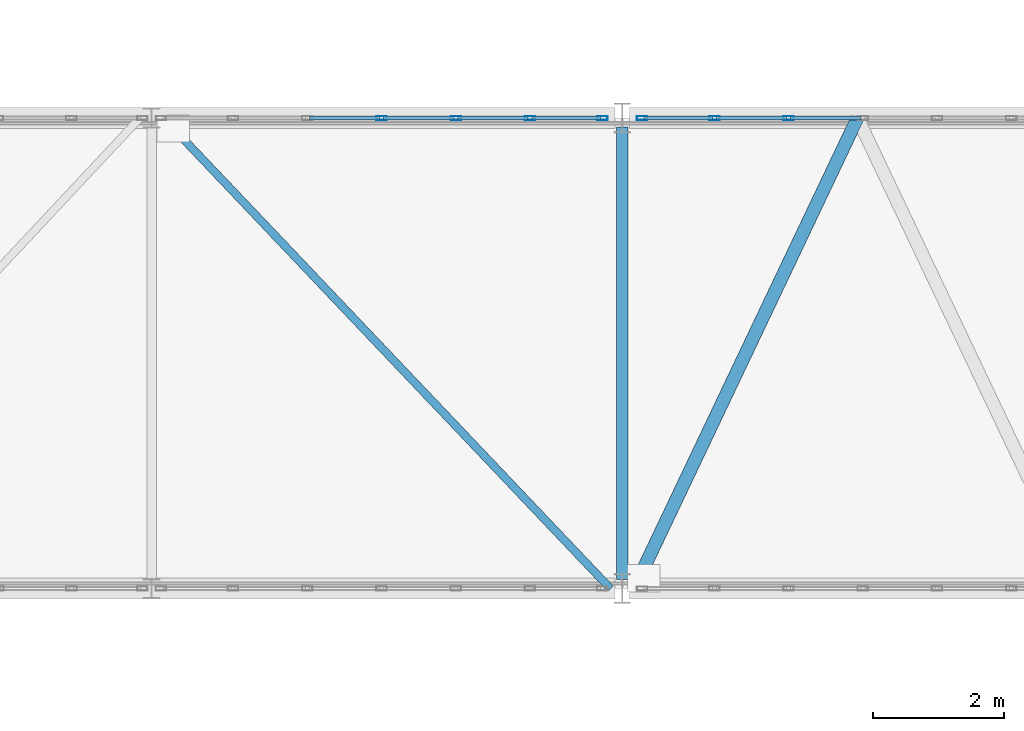
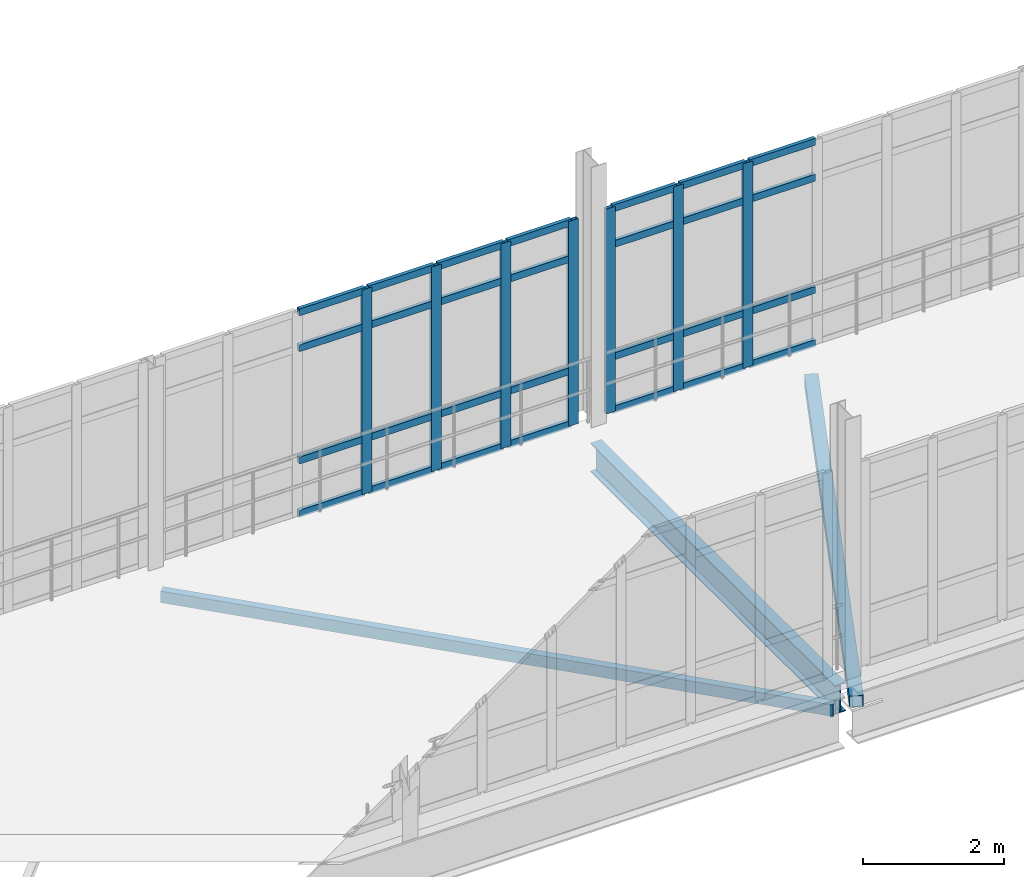
# One storey, part 22 of 124: 37 members, 1 beam, 2 elements without a shape of their own.
"""IFC4 building model written with IfcOpenShell, lengths in metres."""

from ifc_helpers import new_model, si_unit, direction, frame, origin, origin_2d, place, context, subcontext, project, spatial, hollow_rectangle, i_section, extrude, material, material_profile, profile_set, type_object, element, aggregate, save


model = new_model("IFC4")

# Units and contexts
model_context = context("Model", 3, precision=1e-05, world=origin(), true_north=direction((0.0, 1.0)))
body_context = subcontext(model_context, "Body", "Model", "MODEL_VIEW")
ifc_project = project(units=[si_unit("LENGTHUNIT", "METRE"), si_unit("AREAUNIT", "SQUARE_METRE"), si_unit("VOLUMEUNIT", "CUBIC_METRE"), si_unit("PLANEANGLEUNIT", "RADIAN"), si_unit("MASSUNIT", "GRAM", prefix="KILO")], contexts=[model_context])

# Site, building, storey
site_placement = place(None, origin())
site = spatial("IfcSite", under=ifc_project, at=site_placement, CompositionType="ELEMENT")
building_placement = place(site_placement, origin())
building = spatial("IfcBuilding", under=site, at=building_placement, Name="Kalluvel Institute of Natural Sciences", CompositionType="ELEMENT")
storey_placement = place(building_placement, frame((0.0, 0.0, 9.89990234375)))
storey = spatial("IfcBuildingStorey", under=building, at=storey_placement, Name="L02", CompositionType="ELEMENT", Elevation=9.89990234375)

# Beam
ifc_material_1 = material(Name="Steel E350 Grade 350", Category="steel")
ifc_material_profile_1 = material_profile(ifc_material_1, i_section(OverallWidth=0.179931640625, OverallDepth=0.5, WebThickness=0.01025390625, FlangeThickness=0.01708984375, FilletRadius=0.01708984375, at=origin_2d()), Name="ISMB 500")
ifc_profile_set_1 = profile_set([ifc_material_profile_1], Name="Steel E350 Grade 350")
beam_type = type_object("IfcBeamType", Name="BM-ISMB500", PredefinedType="BEAM", material=ifc_profile_set_1)
beam_placement = place(storey_placement, frame((50.0, 28.5400390625, -0.56982421875), z_axis=(0.0, 1.0, 0.0), x_axis=(-1.0, 0.0, 0.0)))
element("IfcBeam", 1, at=beam_placement, inside=storey, type_object=beam_type, Name="L02 link bridge cross girder 56", PredefinedType="BEAM", context=body_context, shape_type="SweptSolid", body=[
    extrude(i_section(OverallWidth=0.179931640625, OverallDepth=0.5, WebThickness=0.01025390625, FlangeThickness=0.01708984375, FilletRadius=0.01708984375, at=origin_2d()), origin(), (0.0, 0.0, 1.0), 6.919921875),
])

# Curtain wall, members
ifc_material_2 = material(Name="Aluminium AW-6063 T6", Category="aluminium")
curtain_wall_type = type_object("IfcCurtainWallType", Name="CW-BRG-45", PredefinedType="USERDEFINED", material=ifc_material_2)
curtain_wall_1_placement = place(storey_placement, origin())
curtain_wall_1 = element("IfcCurtainWall", 2, at=curtain_wall_1_placement, inside=storey, type_object=curtain_wall_type, Name="L02 Gothic lancet curtain wall CWA-L02-X429-Y356", ObjectType="UNITISED LANCET FACADE", PredefinedType="USERDEFINED")
ifc_material_profile_2 = material_profile(ifc_material_2, hollow_rectangle(XDim=0.06005859375, YDim=0.159912109375, WallThickness=0.00390625, at=origin_2d()), Name="CWM 60x160")
ifc_profile_set_2 = profile_set([ifc_material_profile_2], Name="Aluminium AW-6063 T6")
member_type_1 = type_object("IfcMemberType", Name="CWM-60x160", PredefinedType="MULLION", material=ifc_profile_set_2)
member_1_placement = place(storey_placement, frame((46.3173828125, 35.60009765625, 0.0), z_axis=(0.0, 0.0, 1.0), x_axis=(0.0, 1.0, 0.0)))
member_1 = element("IfcMember", 3, at=member_1_placement, type_object=member_type_1, Name="CW-07 mullion 4", PredefinedType="MULLION", context=body_context, shape_type="SweptSolid", body=[
    extrude(hollow_rectangle(XDim=0.06005859375, YDim=0.159912109375, WallThickness=0.00390625, at=origin_2d()), origin(), (0.0, 0.0, 1.0), 3.5400390625),
])
member_2_placement = place(storey_placement, frame((47.453369140625, 35.60009765625, 0.0), z_axis=(0.0, 0.0, 1.0), x_axis=(0.0, 1.0, 0.0)))
member_2 = element("IfcMember", 4, at=member_2_placement, type_object=member_type_1, Name="CW-07 mullion 5", PredefinedType="MULLION", context=body_context, shape_type="SweptSolid", body=[
    extrude(hollow_rectangle(XDim=0.06005859375, YDim=0.159912109375, WallThickness=0.00390625, at=origin_2d()), origin(), (0.0, 0.0, 1.0), 3.5400390625),
])
member_3_placement = place(storey_placement, frame((48.589111328125, 35.60009765625, 0.0), z_axis=(0.0, 0.0, 1.0), x_axis=(0.0, 1.0, 0.0)))
member_3 = element("IfcMember", 5, at=member_3_placement, type_object=member_type_1, Name="CW-07 mullion 6", PredefinedType="MULLION", context=body_context, shape_type="SweptSolid", body=[
    extrude(hollow_rectangle(XDim=0.06005859375, YDim=0.159912109375, WallThickness=0.00390625, at=origin_2d()), origin(), (0.0, 0.0, 1.0), 3.5400390625),
])
member_4_placement = place(storey_placement, frame((49.695068359375, 35.60009765625, 0.0), z_axis=(0.0, 0.0, 1.0), x_axis=(0.0, 1.0, 0.0)))
member_4 = element("IfcMember", 6, at=member_4_placement, type_object=member_type_1, Name="CW-07 mullion 7", PredefinedType="MULLION", context=body_context, shape_type="SweptSolid", body=[
    extrude(hollow_rectangle(XDim=0.06005859375, YDim=0.159912109375, WallThickness=0.00390625, at=origin_2d()), origin(), (0.0, 0.0, 1.0), 3.5400390625),
])

curtain_wall_2_placement = place(storey_placement, origin())
curtain_wall_2 = element("IfcCurtainWall", 7, at=curtain_wall_2_placement, inside=storey, type_object=curtain_wall_type, Name="L02 Gothic lancet curtain wall CWA-L02-X503-Y356", ObjectType="UNITISED LANCET FACADE", PredefinedType="USERDEFINED")
member_5_placement = place(storey_placement, frame((50.304931640625, 35.60009765625, 0.0), z_axis=(0.0, 0.0, 1.0), x_axis=(0.0, 1.0, 0.0)))
member_5 = element("IfcMember", 8, at=member_5_placement, type_object=member_type_1, Name="CW-07 mullion 1", PredefinedType="MULLION", context=body_context, shape_type="SweptSolid", body=[
    extrude(hollow_rectangle(XDim=0.06005859375, YDim=0.159912109375, WallThickness=0.00390625, at=origin_2d()), origin(), (0.0, 0.0, 1.0), 3.5400390625),
])
member_6_placement = place(storey_placement, frame((51.410888671875, 35.60009765625, 0.0), z_axis=(0.0, 0.0, 1.0), x_axis=(0.0, 1.0, 0.0)))
member_6 = element("IfcMember", 9, at=member_6_placement, type_object=member_type_1, Name="CW-07 mullion 2", PredefinedType="MULLION", context=body_context, shape_type="SweptSolid", body=[
    extrude(hollow_rectangle(XDim=0.06005859375, YDim=0.159912109375, WallThickness=0.00390625, at=origin_2d()), origin(), (0.0, 0.0, 1.0), 3.5400390625),
])
member_7_placement = place(storey_placement, frame((52.546630859375, 35.60009765625, 0.0), z_axis=(0.0, 0.0, 1.0), x_axis=(0.0, 1.0, 0.0)))
member_7 = element("IfcMember", 10, at=member_7_placement, type_object=member_type_1, Name="CW-07 mullion 3", PredefinedType="MULLION", context=body_context, shape_type="SweptSolid", body=[
    extrude(hollow_rectangle(XDim=0.06005859375, YDim=0.159912109375, WallThickness=0.00390625, at=origin_2d()), origin(), (0.0, 0.0, 1.0), 3.5400390625),
])

# Member
ifc_material_profile_3 = material_profile(ifc_material_2, hollow_rectangle(XDim=0.06005859375, YDim=0.1201171875, WallThickness=0.00390625, at=origin_2d()), Name="CWT 60x120")
ifc_profile_set_3 = profile_set([ifc_material_profile_3], Name="Aluminium AW-6063 T6")
member_type_2 = type_object("IfcMemberType", Name="CWT-60x120", PredefinedType="USERDEFINED", material=ifc_profile_set_3)
member_8_placement = place(storey_placement, frame((45.211669921875, 35.60009765625, 0.030029296875), z_axis=(1.0, 0.0, 0.0), x_axis=(0.0, 1.0, 0.0)))
member_8 = element("IfcMember", 11, at=member_8_placement, type_object=member_type_2, Name="CW-07 transom 3.1", ObjectType="TRANSOM", PredefinedType="USERDEFINED", context=body_context, shape_type="SweptSolid", body=[
    extrude(hollow_rectangle(XDim=0.06005859375, YDim=0.1201171875, WallThickness=0.00390625, at=origin_2d()), origin(), (0.0, 0.0, 1.0), 1.075927734375),
])

member_9_placement = place(storey_placement, frame((45.211669921875, 35.60009765625, 0.9501953125), z_axis=(1.0, 0.0, 0.0), x_axis=(0.0, 1.0, 0.0)))
member_9 = element("IfcMember", 12, at=member_9_placement, type_object=member_type_2, Name="CW-07 transom 3.2", ObjectType="TRANSOM", PredefinedType="USERDEFINED", context=body_context, shape_type="SweptSolid", body=[
    extrude(hollow_rectangle(XDim=0.06005859375, YDim=0.1201171875, WallThickness=0.00390625, at=origin_2d()), origin(), (0.0, 0.0, 1.0), 1.075927734375),
])

member_10_placement = place(storey_placement, frame((45.211669921875, 35.60009765625, 2.89013671875), z_axis=(1.0, 0.0, 0.0), x_axis=(0.0, 1.0, 0.0)))
member_10 = element("IfcMember", 13, at=member_10_placement, type_object=member_type_2, Name="CW-07 transom 3.3", ObjectType="TRANSOM", PredefinedType="USERDEFINED", context=body_context, shape_type="SweptSolid", body=[
    extrude(hollow_rectangle(XDim=0.06005859375, YDim=0.1201171875, WallThickness=0.00390625, at=origin_2d()), origin(), (0.0, 0.0, 1.0), 1.075927734375),
])

member_11_placement = place(storey_placement, frame((45.211669921875, 35.60009765625, 3.510009765625), z_axis=(1.0, 0.0, 0.0), x_axis=(0.0, 1.0, 0.0)))
member_11 = element("IfcMember", 14, at=member_11_placement, type_object=member_type_2, Name="CW-07 transom 3.4", ObjectType="TRANSOM", PredefinedType="USERDEFINED", context=body_context, shape_type="SweptSolid", body=[
    extrude(hollow_rectangle(XDim=0.06005859375, YDim=0.1201171875, WallThickness=0.00390625, at=origin_2d()), origin(), (0.0, 0.0, 1.0), 1.075927734375),
])

member_12_placement = place(storey_placement, frame((46.347412109375, 35.60009765625, 0.030029296875), z_axis=(1.0, 0.0, 0.0), x_axis=(0.0, 1.0, 0.0)))
member_12 = element("IfcMember", 15, at=member_12_placement, type_object=member_type_2, Name="CW-07 transom 4.1", ObjectType="TRANSOM", PredefinedType="USERDEFINED", context=body_context, shape_type="SweptSolid", body=[
    extrude(hollow_rectangle(XDim=0.06005859375, YDim=0.1201171875, WallThickness=0.00390625, at=origin_2d()), origin(), (0.0, 0.0, 1.0), 1.075927734375),
])

member_13_placement = place(storey_placement, frame((46.347412109375, 35.60009765625, 0.9501953125), z_axis=(1.0, 0.0, 0.0), x_axis=(0.0, 1.0, 0.0)))
member_13 = element("IfcMember", 16, at=member_13_placement, type_object=member_type_2, Name="CW-07 transom 4.2", ObjectType="TRANSOM", PredefinedType="USERDEFINED", context=body_context, shape_type="SweptSolid", body=[
    extrude(hollow_rectangle(XDim=0.06005859375, YDim=0.1201171875, WallThickness=0.00390625, at=origin_2d()), origin(), (0.0, 0.0, 1.0), 1.075927734375),
])

member_14_placement = place(storey_placement, frame((46.347412109375, 35.60009765625, 2.89013671875), z_axis=(1.0, 0.0, 0.0), x_axis=(0.0, 1.0, 0.0)))
member_14 = element("IfcMember", 17, at=member_14_placement, type_object=member_type_2, Name="CW-07 transom 4.3", ObjectType="TRANSOM", PredefinedType="USERDEFINED", context=body_context, shape_type="SweptSolid", body=[
    extrude(hollow_rectangle(XDim=0.06005859375, YDim=0.1201171875, WallThickness=0.00390625, at=origin_2d()), origin(), (0.0, 0.0, 1.0), 1.075927734375),
])

member_15_placement = place(storey_placement, frame((46.347412109375, 35.60009765625, 3.510009765625), z_axis=(1.0, 0.0, 0.0), x_axis=(0.0, 1.0, 0.0)))
member_15 = element("IfcMember", 18, at=member_15_placement, type_object=member_type_2, Name="CW-07 transom 4.4", ObjectType="TRANSOM", PredefinedType="USERDEFINED", context=body_context, shape_type="SweptSolid", body=[
    extrude(hollow_rectangle(XDim=0.06005859375, YDim=0.1201171875, WallThickness=0.00390625, at=origin_2d()), origin(), (0.0, 0.0, 1.0), 1.075927734375),
])

member_16_placement = place(storey_placement, frame((47.4833984375, 35.60009765625, 0.030029296875), z_axis=(1.0, 0.0, 0.0), x_axis=(0.0, 1.0, 0.0)))
member_16 = element("IfcMember", 19, at=member_16_placement, type_object=member_type_2, Name="CW-07 transom 5.1", ObjectType="TRANSOM", PredefinedType="USERDEFINED", context=body_context, shape_type="SweptSolid", body=[
    extrude(hollow_rectangle(XDim=0.06005859375, YDim=0.1201171875, WallThickness=0.00390625, at=origin_2d()), origin(), (0.0, 0.0, 1.0), 1.07568359375),
])

member_17_placement = place(storey_placement, frame((47.4833984375, 35.60009765625, 0.9501953125), z_axis=(1.0, 0.0, 0.0), x_axis=(0.0, 1.0, 0.0)))
member_17 = element("IfcMember", 20, at=member_17_placement, type_object=member_type_2, Name="CW-07 transom 5.2", ObjectType="TRANSOM", PredefinedType="USERDEFINED", context=body_context, shape_type="SweptSolid", body=[
    extrude(hollow_rectangle(XDim=0.06005859375, YDim=0.1201171875, WallThickness=0.00390625, at=origin_2d()), origin(), (0.0, 0.0, 1.0), 1.07568359375),
])

member_18_placement = place(storey_placement, frame((47.4833984375, 35.60009765625, 2.89013671875), z_axis=(1.0, 0.0, 0.0), x_axis=(0.0, 1.0, 0.0)))
member_18 = element("IfcMember", 21, at=member_18_placement, type_object=member_type_2, Name="CW-07 transom 5.3", ObjectType="TRANSOM", PredefinedType="USERDEFINED", context=body_context, shape_type="SweptSolid", body=[
    extrude(hollow_rectangle(XDim=0.06005859375, YDim=0.1201171875, WallThickness=0.00390625, at=origin_2d()), origin(), (0.0, 0.0, 1.0), 1.07568359375),
])

member_19_placement = place(storey_placement, frame((47.4833984375, 35.60009765625, 3.510009765625), z_axis=(1.0, 0.0, 0.0), x_axis=(0.0, 1.0, 0.0)))
member_19 = element("IfcMember", 22, at=member_19_placement, type_object=member_type_2, Name="CW-07 transom 5.4", ObjectType="TRANSOM", PredefinedType="USERDEFINED", context=body_context, shape_type="SweptSolid", body=[
    extrude(hollow_rectangle(XDim=0.06005859375, YDim=0.1201171875, WallThickness=0.00390625, at=origin_2d()), origin(), (0.0, 0.0, 1.0), 1.07568359375),
])

member_20_placement = place(storey_placement, frame((48.619140625, 35.60009765625, 0.030029296875), z_axis=(1.0, 0.0, 0.0), x_axis=(0.0, 1.0, 0.0)))
member_20 = element("IfcMember", 23, at=member_20_placement, type_object=member_type_2, Name="CW-07 transom 6.1", ObjectType="TRANSOM", PredefinedType="USERDEFINED", context=body_context, shape_type="SweptSolid", body=[
    extrude(hollow_rectangle(XDim=0.06005859375, YDim=0.1201171875, WallThickness=0.00390625, at=origin_2d()), origin(), (0.0, 0.0, 1.0), 1.0458984375),
])

member_21_placement = place(storey_placement, frame((48.619140625, 35.60009765625, 0.9501953125), z_axis=(1.0, 0.0, 0.0), x_axis=(0.0, 1.0, 0.0)))
member_21 = element("IfcMember", 24, at=member_21_placement, type_object=member_type_2, Name="CW-07 transom 6.2", ObjectType="TRANSOM", PredefinedType="USERDEFINED", context=body_context, shape_type="SweptSolid", body=[
    extrude(hollow_rectangle(XDim=0.06005859375, YDim=0.1201171875, WallThickness=0.00390625, at=origin_2d()), origin(), (0.0, 0.0, 1.0), 1.0458984375),
])

member_22_placement = place(storey_placement, frame((48.619140625, 35.60009765625, 2.89013671875), z_axis=(1.0, 0.0, 0.0), x_axis=(0.0, 1.0, 0.0)))
member_22 = element("IfcMember", 25, at=member_22_placement, type_object=member_type_2, Name="CW-07 transom 6.3", ObjectType="TRANSOM", PredefinedType="USERDEFINED", context=body_context, shape_type="SweptSolid", body=[
    extrude(hollow_rectangle(XDim=0.06005859375, YDim=0.1201171875, WallThickness=0.00390625, at=origin_2d()), origin(), (0.0, 0.0, 1.0), 1.0458984375),
])

member_23_placement = place(storey_placement, frame((48.619140625, 35.60009765625, 3.510009765625), z_axis=(1.0, 0.0, 0.0), x_axis=(0.0, 1.0, 0.0)))
member_23 = element("IfcMember", 26, at=member_23_placement, type_object=member_type_2, Name="CW-07 transom 6.4", ObjectType="TRANSOM", PredefinedType="USERDEFINED", context=body_context, shape_type="SweptSolid", body=[
    extrude(hollow_rectangle(XDim=0.06005859375, YDim=0.1201171875, WallThickness=0.00390625, at=origin_2d()), origin(), (0.0, 0.0, 1.0), 1.0458984375),
])

aggregate(curtain_wall_1, [member_1, member_2, member_3, member_4, member_8, member_9, member_10, member_11, member_12, member_13, member_14, member_15, member_16, member_17, member_18, member_19, member_20, member_21, member_22, member_23])

member_24_placement = place(storey_placement, frame((50.3349609375, 35.60009765625, 0.030029296875), z_axis=(1.0, 0.0, 0.0), x_axis=(0.0, 1.0, 0.0)))
member_24 = element("IfcMember", 27, at=member_24_placement, type_object=member_type_2, Name="CW-07 transom 1.1", ObjectType="TRANSOM", PredefinedType="USERDEFINED", context=body_context, shape_type="SweptSolid", body=[
    extrude(hollow_rectangle(XDim=0.06005859375, YDim=0.1201171875, WallThickness=0.00390625, at=origin_2d()), origin(), (0.0, 0.0, 1.0), 1.0458984375),
])

member_25_placement = place(storey_placement, frame((50.3349609375, 35.60009765625, 0.9501953125), z_axis=(1.0, 0.0, 0.0), x_axis=(0.0, 1.0, 0.0)))
member_25 = element("IfcMember", 28, at=member_25_placement, type_object=member_type_2, Name="CW-07 transom 1.2", ObjectType="TRANSOM", PredefinedType="USERDEFINED", context=body_context, shape_type="SweptSolid", body=[
    extrude(hollow_rectangle(XDim=0.06005859375, YDim=0.1201171875, WallThickness=0.00390625, at=origin_2d()), origin(), (0.0, 0.0, 1.0), 1.0458984375),
])

member_26_placement = place(storey_placement, frame((50.3349609375, 35.60009765625, 2.89013671875), z_axis=(1.0, 0.0, 0.0), x_axis=(0.0, 1.0, 0.0)))
member_26 = element("IfcMember", 29, at=member_26_placement, type_object=member_type_2, Name="CW-07 transom 1.3", ObjectType="TRANSOM", PredefinedType="USERDEFINED", context=body_context, shape_type="SweptSolid", body=[
    extrude(hollow_rectangle(XDim=0.06005859375, YDim=0.1201171875, WallThickness=0.00390625, at=origin_2d()), origin(), (0.0, 0.0, 1.0), 1.0458984375),
])

member_27_placement = place(storey_placement, frame((50.3349609375, 35.60009765625, 3.510009765625), z_axis=(1.0, 0.0, 0.0), x_axis=(0.0, 1.0, 0.0)))
member_27 = element("IfcMember", 30, at=member_27_placement, type_object=member_type_2, Name="CW-07 transom 1.4", ObjectType="TRANSOM", PredefinedType="USERDEFINED", context=body_context, shape_type="SweptSolid", body=[
    extrude(hollow_rectangle(XDim=0.06005859375, YDim=0.1201171875, WallThickness=0.00390625, at=origin_2d()), origin(), (0.0, 0.0, 1.0), 1.0458984375),
])

member_28_placement = place(storey_placement, frame((51.44091796875, 35.60009765625, 0.030029296875), z_axis=(1.0, 0.0, 0.0), x_axis=(0.0, 1.0, 0.0)))
member_28 = element("IfcMember", 31, at=member_28_placement, type_object=member_type_2, Name="CW-07 transom 2.1", ObjectType="TRANSOM", PredefinedType="USERDEFINED", context=body_context, shape_type="SweptSolid", body=[
    extrude(hollow_rectangle(XDim=0.06005859375, YDim=0.1201171875, WallThickness=0.00390625, at=origin_2d()), origin(), (0.0, 0.0, 1.0), 1.07568359375),
])

member_29_placement = place(storey_placement, frame((51.44091796875, 35.60009765625, 0.9501953125), z_axis=(1.0, 0.0, 0.0), x_axis=(0.0, 1.0, 0.0)))
member_29 = element("IfcMember", 32, at=member_29_placement, type_object=member_type_2, Name="CW-07 transom 2.2", ObjectType="TRANSOM", PredefinedType="USERDEFINED", context=body_context, shape_type="SweptSolid", body=[
    extrude(hollow_rectangle(XDim=0.06005859375, YDim=0.1201171875, WallThickness=0.00390625, at=origin_2d()), origin(), (0.0, 0.0, 1.0), 1.07568359375),
])

member_30_placement = place(storey_placement, frame((51.44091796875, 35.60009765625, 2.89013671875), z_axis=(1.0, 0.0, 0.0), x_axis=(0.0, 1.0, 0.0)))
member_30 = element("IfcMember", 33, at=member_30_placement, type_object=member_type_2, Name="CW-07 transom 2.3", ObjectType="TRANSOM", PredefinedType="USERDEFINED", context=body_context, shape_type="SweptSolid", body=[
    extrude(hollow_rectangle(XDim=0.06005859375, YDim=0.1201171875, WallThickness=0.00390625, at=origin_2d()), origin(), (0.0, 0.0, 1.0), 1.07568359375),
])

member_31_placement = place(storey_placement, frame((51.44091796875, 35.60009765625, 3.510009765625), z_axis=(1.0, 0.0, 0.0), x_axis=(0.0, 1.0, 0.0)))
member_31 = element("IfcMember", 34, at=member_31_placement, type_object=member_type_2, Name="CW-07 transom 2.4", ObjectType="TRANSOM", PredefinedType="USERDEFINED", context=body_context, shape_type="SweptSolid", body=[
    extrude(hollow_rectangle(XDim=0.06005859375, YDim=0.1201171875, WallThickness=0.00390625, at=origin_2d()), origin(), (0.0, 0.0, 1.0), 1.07568359375),
])

member_32_placement = place(storey_placement, frame((52.57666015625, 35.60009765625, 0.030029296875), z_axis=(1.0, 0.0, 0.0), x_axis=(0.0, 1.0, 0.0)))
member_32 = element("IfcMember", 35, at=member_32_placement, type_object=member_type_2, Name="CW-07 transom 3.1", ObjectType="TRANSOM", PredefinedType="USERDEFINED", context=body_context, shape_type="SweptSolid", body=[
    extrude(hollow_rectangle(XDim=0.06005859375, YDim=0.1201171875, WallThickness=0.00390625, at=origin_2d()), origin(), (0.0, 0.0, 1.0), 1.075927734375),
])

member_33_placement = place(storey_placement, frame((52.57666015625, 35.60009765625, 0.9501953125), z_axis=(1.0, 0.0, 0.0), x_axis=(0.0, 1.0, 0.0)))
member_33 = element("IfcMember", 36, at=member_33_placement, type_object=member_type_2, Name="CW-07 transom 3.2", ObjectType="TRANSOM", PredefinedType="USERDEFINED", context=body_context, shape_type="SweptSolid", body=[
    extrude(hollow_rectangle(XDim=0.06005859375, YDim=0.1201171875, WallThickness=0.00390625, at=origin_2d()), origin(), (0.0, 0.0, 1.0), 1.075927734375),
])

member_34_placement = place(storey_placement, frame((52.57666015625, 35.60009765625, 2.89013671875), z_axis=(1.0, 0.0, 0.0), x_axis=(0.0, 1.0, 0.0)))
member_34 = element("IfcMember", 37, at=member_34_placement, type_object=member_type_2, Name="CW-07 transom 3.3", ObjectType="TRANSOM", PredefinedType="USERDEFINED", context=body_context, shape_type="SweptSolid", body=[
    extrude(hollow_rectangle(XDim=0.06005859375, YDim=0.1201171875, WallThickness=0.00390625, at=origin_2d()), origin(), (0.0, 0.0, 1.0), 1.075927734375),
])

member_35_placement = place(storey_placement, frame((52.57666015625, 35.60009765625, 3.510009765625), z_axis=(1.0, 0.0, 0.0), x_axis=(0.0, 1.0, 0.0)))
member_35 = element("IfcMember", 38, at=member_35_placement, type_object=member_type_2, Name="CW-07 transom 3.4", ObjectType="TRANSOM", PredefinedType="USERDEFINED", context=body_context, shape_type="SweptSolid", body=[
    extrude(hollow_rectangle(XDim=0.06005859375, YDim=0.1201171875, WallThickness=0.00390625, at=origin_2d()), origin(), (0.0, 0.0, 1.0), 1.075927734375),
])

aggregate(curtain_wall_2, [member_5, member_6, member_7, member_24, member_25, member_26, member_27, member_28, member_29, member_30, member_31, member_32, member_33, member_34, member_35])

# Members
ifc_material_profile_4 = material_profile(ifc_material_1, hollow_rectangle(XDim=0.1201171875, YDim=0.199951171875, WallThickness=0.008056640625, at=origin_2d()), Name="RHS 200x120x8")
ifc_profile_set_4 = profile_set([ifc_material_profile_4], Name="Steel E350 Grade 350")
member_type_3 = type_object("IfcMemberType", Name="MB-BR-RHS200", PredefinedType="BRACE", material=ifc_profile_set_4)
member_36_placement = place(storey_placement, frame((42.97998046875, 35.60009765625, -0.599853515625), z_axis=(0.688744293312, -0.725004343732, 0.0), x_axis=(0.725004343732, 0.688744293312, 0.0)))
element("IfcMember", 39, at=member_36_placement, inside=storey, type_object=member_type_3, Name="L02 link bridge horizontal plan brace L02-02-1", PredefinedType="BRACE", context=body_context, shape_type="SweptSolid", body=[
    extrude(hollow_rectangle(XDim=0.1201171875, YDim=0.199951171875, WallThickness=0.008056640625, at=origin_2d()), origin(), (0.0, 0.0, 1.0), 9.93115234375),
])
ifc_material_profile_5 = material_profile(ifc_material_1, hollow_rectangle(XDim=0.199951171875, YDim=0.199951171875, WallThickness=0.010009765625, at=origin_2d()), Name="SHS 200x200x10")
ifc_profile_set_5 = profile_set([ifc_material_profile_5], Name="Steel E350 Grade 350")
member_type_4 = type_object("IfcMemberType", Name="MB-BR-SHS200", PredefinedType="BRACE", material=ifc_profile_set_5)
member_37_placement = place(storey_placement, frame((50.179931640625, 28.39990234375, -0.599853515625), z_axis=(0.429064311405, 0.903273943319, 0.0), x_axis=(-0.903273943319, 0.429064311405, 0.0)))
element("IfcMember", 40, at=member_37_placement, inside=storey, type_object=member_type_4, Name="L02 link bridge horizontal plan brace L02-03-1", PredefinedType="BRACE", context=body_context, shape_type="SweptSolid", body=[
    extrude(hollow_rectangle(XDim=0.199951171875, YDim=0.199951171875, WallThickness=0.010009765625, at=origin_2d()), origin(), (0.0, 0.0, 1.0), 7.97119140625),
])

save(model, "model.ifc")
